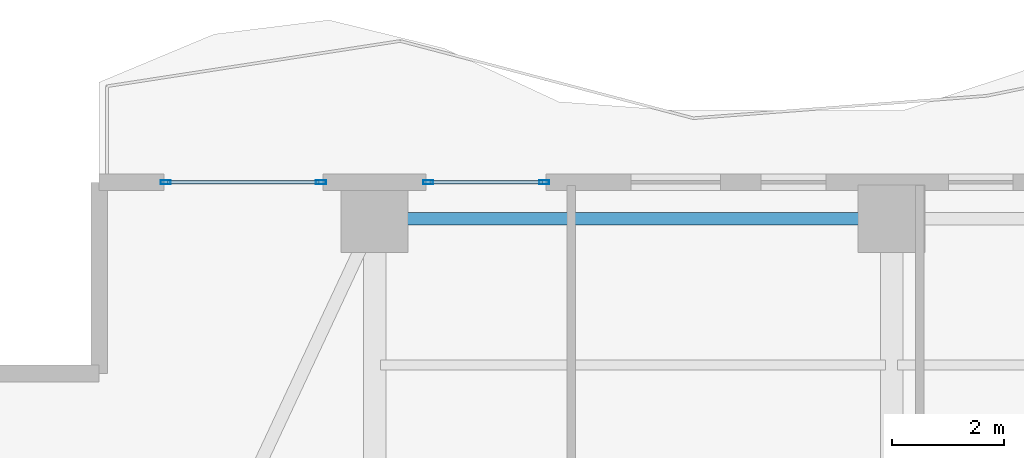
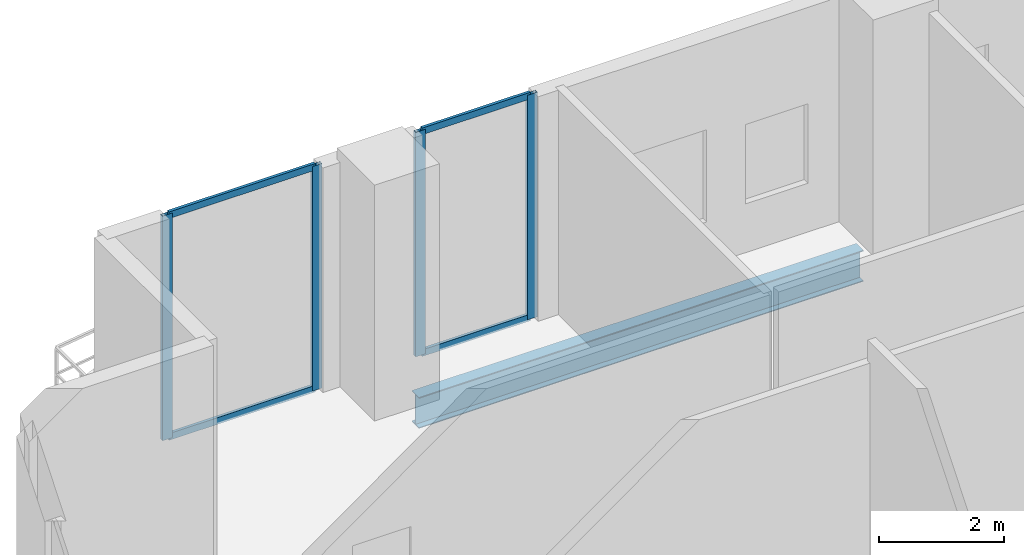
# One storey, part 17 of 31: 8 members, 1 beam, 2 elements without a shape of their own.
"""IFC4 building model written with IfcOpenShell, lengths in metres."""

import ifcopenshell
import ifcopenshell.guid

model = None  # the IFC model being written
_history = None  # IfcOwnerHistory: only IFC2X3 demands one
_inside = {}  # id of a spatial element -> (the spatial element, [elements in it])
_under = {}  # id of a project, library or spatial element -> (it, [spatial elements below it])
_declared = {}  # id of a project -> (the project, [libraries it declares])
_typed = {}  # id of a type object -> (the type object, [elements of that type])
_made_of = {}  # id of a material, layer set ... -> (it, [elements and type objects made of it])


def new_model(schema):
    """Start an empty IFC model of exactly this schema.

    Asked for "IFC4X3", IfcOpenShell would pick the latest addendum, in which some entities
    have other attributes; the version numbers below select the first issue.
    IFC2X3 requires an IfcOwnerHistory on every rooted entity: one is made here for all.
    """
    global model, _history
    if schema == "IFC4X3":
        model = ifcopenshell.file(schema_version=(4, 3, 0, 0))
    else:
        model = ifcopenshell.file(schema=schema)
    _inside.clear()
    _under.clear()
    _declared.clear()
    _typed.clear()
    _made_of.clear()
    _history = None
    if model.schema == "IFC2X3":
        org = make("IfcOrganization", Name="unknown")
        user = make(
            "IfcPersonAndOrganization",
            ThePerson=make("IfcPerson", FamilyName="unknown"),
            TheOrganization=org,
        )
        app = make(
            "IfcApplication",
            ApplicationDeveloper=org,
            Version="unknown",
            ApplicationFullName="unknown",
            ApplicationIdentifier="unknown",
        )
        _history = make(
            "IfcOwnerHistory",
            OwningUser=user,
            OwningApplication=app,
            ChangeAction="ADDED",
            CreationDate=0,
        )
    return model


def make(cls, **values):
    """One entity of the class cls with the attributes given. An attribute that is None is left unset."""
    return model.create_entity(
        cls, **{name: value for name, value in values.items() if value is not None}
    )


def rooted(cls, **values):
    """An entity with a GlobalId (a new one), such as an element, a storey or a relation."""
    return make(cls, GlobalId=ifcopenshell.guid.new(), OwnerHistory=_history, **values)


def si_unit(unit_type, name, prefix=None):
    """IfcSIUnit, for example si_unit("LENGTHUNIT", "METRE", prefix="MILLI")."""
    return make("IfcSIUnit", UnitType=unit_type, Prefix=prefix, Name=name)


def assignment(units):
    """IfcUnitAssignment: the units of a project."""
    return None if units is None else make("IfcUnitAssignment", Units=units)


def point(xyz):
    """IfcCartesianPoint."""
    return None if xyz is None else make("IfcCartesianPoint", Coordinates=xyz)


def direction(xyz):
    """IfcDirection."""
    return None if xyz is None else make("IfcDirection", DirectionRatios=xyz)


def frame(location, z_axis=None, x_axis=None):
    """IfcAxis2Placement3D, a coordinate frame: its origin and axes. An axis left out is left unset."""
    return make(
        "IfcAxis2Placement3D",
        Location=point(location),
        Axis=direction(z_axis),
        RefDirection=direction(x_axis),
    )


def frame_2d(location, x_axis=None):
    """IfcAxis2Placement2D, a coordinate frame in the plane: its origin and x axis."""
    return make(
        "IfcAxis2Placement2D", Location=point(location), RefDirection=direction(x_axis)
    )


def origin():
    """The frame at (0, 0, 0) with its axes left unset."""
    return frame((0.0, 0.0, 0.0))


def origin_2d():
    """The frame at (0, 0) in the plane with its x axis left unset."""
    return frame_2d((0.0, 0.0))


def place(relative_to, where):
    """IfcLocalPlacement: puts the frame where relative to a parent placement (None: the world)."""
    return make(
        "IfcLocalPlacement", PlacementRelTo=relative_to, RelativePlacement=where
    )


def context(
    kind, dimensions, precision=None, world=None, true_north=None, identifier=None
):
    """IfcGeometricRepresentationContext, for example the 3D "Model" context."""
    return make(
        "IfcGeometricRepresentationContext",
        ContextIdentifier=identifier,
        ContextType=kind,
        CoordinateSpaceDimension=dimensions,
        Precision=precision,
        WorldCoordinateSystem=world,
        TrueNorth=true_north,
    )


def subcontext(parent, identifier, kind, view, scale=None):
    """IfcGeometricRepresentationSubContext, for example "Body" below "Model"."""
    return make(
        "IfcGeometricRepresentationSubContext",
        ContextIdentifier=identifier,
        ContextType=kind,
        ParentContext=parent,
        TargetScale=scale,
        TargetView=view,
    )


def project(units=None, contexts=None):
    """IfcProject with its units and contexts."""
    return rooted(
        "IfcProject",
        Name="project",
        RepresentationContexts=contexts,
        UnitsInContext=assignment(units),
    )


def spatial(cls, under=None, at=None, **own):
    """A site, building, storey or space (cls), placed at a placement, below another one or the project."""
    s = rooted(cls, ObjectPlacement=at, **own)
    if under is not None:
        _under.setdefault(under.id(), (under, []))[1].append(s)
    return s


def profile(cls, at=None, kind="AREA", **sizes):
    """A parametric profile (cls). Its sizes go by their IFC names, for example OverallWidth=200.0."""
    return make(cls, ProfileType=kind, Position=at, **sizes)


def hollow_rectangle(**sizes):
    """IfcRectangleHollowProfileDef."""
    return profile("IfcRectangleHollowProfileDef", **sizes)


def i_section(**sizes):
    """IfcIShapeProfileDef."""
    return profile("IfcIShapeProfileDef", **sizes)


def extrude(swept, where, along, depth):
    """IfcExtrudedAreaSolid: the profile swept, set in the frame where, extruded along a direction by depth."""
    return make(
        "IfcExtrudedAreaSolid",
        SweptArea=swept,
        Position=where,
        ExtrudedDirection=direction(along),
        Depth=depth,
    )


def shape(context_of_items, identifier, shape_type, items):
    """IfcShapeRepresentation: the items that make up one representation, for example the "Body"."""
    return make(
        "IfcShapeRepresentation",
        ContextOfItems=context_of_items,
        RepresentationIdentifier=identifier,
        RepresentationType=shape_type,
        Items=items,
    )


def material(Name=None, Category=None):
    """IfcMaterial."""
    return make("IfcMaterial", Name=Name, Category=Category)


def layer(
    of_material, thickness, ventilated=None, Name=None, Category=None, Priority=None
):
    """IfcMaterialLayer: one layer of a wall or slab, of a material (None: an air gap)."""
    return make(
        "IfcMaterialLayer",
        Material=of_material,
        LayerThickness=thickness,
        IsVentilated=ventilated,
        Name=Name,
        Category=Category,
        Priority=Priority,
    )


def layer_set(layers, Name=None):
    """IfcMaterialLayerSet."""
    return make("IfcMaterialLayerSet", MaterialLayers=layers, LayerSetName=Name)


def material_profile(
    of_material, cross_section, Name=None, Category=None, Priority=None
):
    """IfcMaterialProfile: a cross section and its material."""
    return make(
        "IfcMaterialProfile",
        Name=Name,
        Material=of_material,
        Profile=cross_section,
        Priority=Priority,
        Category=Category,
    )


def profile_set(profiles, Name=None, composite=None):
    """IfcMaterialProfileSet."""
    return make(
        "IfcMaterialProfileSet",
        Name=Name,
        MaterialProfiles=profiles,
        CompositeProfile=composite,
    )


def made_of(thing, what):
    """Note that an element or type object is made of a material, layer set ...; save() writes the relation."""
    if what is not None:
        _made_of.setdefault(what.id(), (what, []))[1].append(thing)
    return thing


def type_object(cls, material=None, **own):
    """A type object (cls), such as IfcWallType, which elements share."""
    return made_of(rooted(cls, **own), material)


def element(
    cls,
    number,
    at=None,
    inside=None,
    cuts=None,
    type_object=None,
    material=None,
    context=None,
    identifier="Body",
    shape_type=None,
    held_by="IfcProductDefinitionShape",
    body=None,
    shapes=None,
    **own,
):
    """One element of the class cls, such as IfcWall. Its Tag is "e" and its number.

    at: its placement. inside: the storey or other place that contains it. cuts: it is an
    opening in that element (IfcRelVoidsElement). A single representation is given by context,
    identifier, shape_type and body (its items); several are given by shapes. held_by: the class
    of the entity that holds the representations. save() writes the other relations.
    """
    e = rooted(cls, Tag="e%d" % number, ObjectPlacement=at, **own)
    if body is not None:
        shapes = [shape(context, identifier, shape_type, body)]
    if shapes is not None:
        e.Representation = make(held_by, Representations=shapes)
    if inside is not None:
        _inside.setdefault(inside.id(), (inside, []))[1].append(e)
    if cuts is not None:
        rooted(
            "IfcRelVoidsElement", RelatingBuildingElement=cuts, RelatedOpeningElement=e
        )
    if type_object is not None:
        _typed.setdefault(type_object.id(), (type_object, []))[1].append(e)
    return made_of(e, material)


def aggregate(whole, parts):
    """IfcRelAggregates: a whole, such as a stair, and the parts it consists of."""
    return rooted("IfcRelAggregates", RelatingObject=whole, RelatedObjects=parts)


def save(model, path):
    """Write the relations noted so far, then the file.

    IfcRelAggregates (storeys below a building ...), IfcRelContainedInSpatialStructure (elements
    in a storey), IfcRelDefinesByType, IfcRelAssociatesMaterial and IfcRelDeclares: one each for
    every whole, place, type object, material and project.
    """
    for whole, parts in _under.values():
        aggregate(whole, parts)
    for where, things in _inside.values():
        rooted(
            "IfcRelContainedInSpatialStructure",
            RelatedElements=things,
            RelatingStructure=where,
        )
    for kind, things in _typed.values():
        rooted("IfcRelDefinesByType", RelatedObjects=things, RelatingType=kind)
    for what, things in _made_of.values():
        rooted("IfcRelAssociatesMaterial", RelatedObjects=things, RelatingMaterial=what)
    for by, libraries in _declared.values():
        rooted("IfcRelDeclares", RelatingContext=by, RelatedDefinitions=libraries)
    model.write(path)


model = new_model("IFC4")

# Units and contexts
model_context = context("Model", 3, precision=1e-05, world=origin(), true_north=direction((0.0, 1.0)))
body_context = subcontext(model_context, "Body", "Model", "MODEL_VIEW")
ifc_project = project(units=[si_unit("LENGTHUNIT", "METRE"), si_unit("AREAUNIT", "SQUARE_METRE"), si_unit("VOLUMEUNIT", "CUBIC_METRE"), si_unit("PLANEANGLEUNIT", "RADIAN"), si_unit("MASSUNIT", "GRAM", prefix="KILO")], contexts=[model_context])

# Site, building, storey
site_placement = place(None, origin())
site = spatial("IfcSite", under=ifc_project, at=site_placement, CompositionType="ELEMENT")
building_placement = place(site_placement, origin())
building = spatial("IfcBuilding", under=site, at=building_placement, Name="Zuhayl Quay Hotel", CompositionType="ELEMENT")
storey_placement = place(building_placement, frame((0.0, 0.0, 172.800048828125)))
storey = spatial("IfcBuildingStorey", under=building, at=storey_placement, Name="L43", CompositionType="ELEMENT", Elevation=172.800048828125)

# Beam
ifc_material_1 = material(Name="Steel ASTM A992 Grade 50", Category="steel")
ifc_material_profile_1 = material_profile(ifc_material_1, i_section(OverallWidth=0.22802734375, OverallDepth=0.60693359375, WebThickness=0.01123046875, FlangeThickness=0.017333984375, at=origin_2d()), Name="W24X76")
ifc_profile_set_1 = profile_set([ifc_material_profile_1], Name="Steel ASTM A992 Grade 50")
beam_type = type_object("IfcBeamType", Name="BM_B3_W24X76", PredefinedType="BEAM", material=ifc_profile_set_1)
beam_placement = place(storey_placement, frame((-5.10009765625, 32.949951171875, -0.5234375), z_axis=(-1.0, 0.0, 0.0), x_axis=(0.0, -1.0, 0.0)))
element("IfcBeam", 1, at=beam_placement, inside=storey, type_object=beam_type, Name="L43 Floor Beam RG_L43_09", PredefinedType="BEAM", context=body_context, shape_type="SweptSolid", body=[
    extrude(i_section(OverallWidth=0.22802734375, OverallDepth=0.60693359375, WebThickness=0.01123046875, FlangeThickness=0.017333984375, at=origin_2d()), origin(), (0.0, 0.0, 1.0), 8.199951171875),
])

# Curtain wall, members
ifc_material_2 = material(Name="Anodised Aluminium 6063-T6", Category="aluminium")
ifc_layer = layer(ifc_material_2, 0.175048828125, Name="Anodised Aluminium 6063-T6", Category="aluminium")
ifc_layer_set = layer_set([ifc_layer], Name="Anodised Aluminium 6063-T6")
curtain_wall_type = type_object("IfcCurtainWallType", Name="CW_SYS_Z3", PredefinedType="USERDEFINED", material=ifc_layer_set)
curtain_wall_1_placement = place(storey_placement, origin())
curtain_wall_1 = element("IfcCurtainWall", 2, at=curtain_wall_1_placement, inside=storey, type_object=curtain_wall_type, Name="L43 Curtain Wall ENV_L43_N_CW1", ObjectType="UNITISED CURTAIN WALL", PredefinedType="USERDEFINED")
ifc_material_3 = material(Name="Black-anodised aluminium 6063-T6", Category="aluminium")
ifc_material_profile_2 = material_profile(ifc_material_3, hollow_rectangle(XDim=0.06494140625, YDim=0.179931640625, WallThickness=0.00341796875, at=origin_2d()), Name="ALU180X65")
ifc_profile_set_2 = profile_set([ifc_material_profile_2], Name="Black-anodised aluminium 6063-T6")
member_type_1 = type_object("IfcMemberType", Name="MB_CW_MUL_180", PredefinedType="MULLION", material=ifc_profile_set_2)
member_1_placement = place(storey_placement, frame((-17.517578125, 33.60009765625, 0.0), z_axis=(0.0, 0.0, 1.0), x_axis=(0.0, 1.0, 0.0)))
member_1 = element("IfcMember", 3, at=member_1_placement, type_object=member_type_1, Name="CW-Z3 mullion 1", PredefinedType="MULLION", context=body_context, shape_type="SweptSolid", body=[
    extrude(hollow_rectangle(XDim=0.06494140625, YDim=0.179931640625, WallThickness=0.00341796875, at=origin_2d()), origin(), (0.0, 0.0, 1.0), 4.3798828125),
])
member_2_placement = place(storey_placement, frame((-14.75244140625, 33.60009765625, 0.0), z_axis=(0.0, 0.0, 1.0), x_axis=(0.0, 1.0, 0.0)))
member_2 = element("IfcMember", 4, at=member_2_placement, type_object=member_type_1, Name="CW-Z3 mullion 2", PredefinedType="MULLION", context=body_context, shape_type="SweptSolid", body=[
    extrude(hollow_rectangle(XDim=0.06494140625, YDim=0.179931640625, WallThickness=0.00341796875, at=origin_2d()), origin(), (0.0, 0.0, 1.0), 4.3798828125),
])

curtain_wall_2_placement = place(storey_placement, origin())
curtain_wall_2 = element("IfcCurtainWall", 5, at=curtain_wall_2_placement, inside=storey, type_object=curtain_wall_type, Name="L43 Curtain Wall ENV_L43_N_CW2", ObjectType="UNITISED CURTAIN WALL", PredefinedType="USERDEFINED")
member_3_placement = place(storey_placement, frame((-12.847412109375, 33.60009765625, 0.0), z_axis=(0.0, 0.0, 1.0), x_axis=(0.0, 1.0, 0.0)))
member_3 = element("IfcMember", 6, at=member_3_placement, type_object=member_type_1, Name="CW-Z3 mullion 1", PredefinedType="MULLION", context=body_context, shape_type="SweptSolid", body=[
    extrude(hollow_rectangle(XDim=0.06494140625, YDim=0.179931640625, WallThickness=0.00341796875, at=origin_2d()), origin(), (0.0, 0.0, 1.0), 4.3798828125),
])
member_4_placement = place(storey_placement, frame((-10.782470703125, 33.60009765625, 0.0), z_axis=(0.0, 0.0, 1.0), x_axis=(0.0, 1.0, 0.0)))
member_4 = element("IfcMember", 7, at=member_4_placement, type_object=member_type_1, Name="CW-Z3 mullion 2", PredefinedType="MULLION", context=body_context, shape_type="SweptSolid", body=[
    extrude(hollow_rectangle(XDim=0.06494140625, YDim=0.179931640625, WallThickness=0.00341796875, at=origin_2d()), origin(), (0.0, 0.0, 1.0), 4.3798828125),
])

# Member
ifc_material_profile_3 = material_profile(ifc_material_3, hollow_rectangle(XDim=0.054931640625, YDim=0.1298828125, WallThickness=0.0029296875, at=origin_2d()), Name="ALU130X55")
ifc_profile_set_3 = profile_set([ifc_material_profile_3], Name="Black-anodised aluminium 6063-T6")
member_type_2 = type_object("IfcMemberType", Name="MB_CW_TRN_130", PredefinedType="USERDEFINED", material=ifc_profile_set_3)
member_5_placement = place(storey_placement, frame((-17.485107421875, 33.60009765625, 0.02734375), z_axis=(1.0, 0.0, 0.0), x_axis=(0.0, 1.0, 0.0)))
member_5 = element("IfcMember", 8, at=member_5_placement, type_object=member_type_2, Name="CW-Z3 transom 1.1", ObjectType="TRANSOM", PredefinedType="USERDEFINED", context=body_context, shape_type="SweptSolid", body=[
    extrude(hollow_rectangle(XDim=0.054931640625, YDim=0.1298828125, WallThickness=0.0029296875, at=origin_2d()), origin(), (0.0, 0.0, 1.0), 2.7001953125),
])

member_6_placement = place(storey_placement, frame((-17.485107421875, 33.60009765625, 4.3525390625), z_axis=(1.0, 0.0, 0.0), x_axis=(0.0, 1.0, 0.0)))
member_6 = element("IfcMember", 9, at=member_6_placement, type_object=member_type_2, Name="CW-Z3 transom 1.2", ObjectType="TRANSOM", PredefinedType="USERDEFINED", context=body_context, shape_type="SweptSolid", body=[
    extrude(hollow_rectangle(XDim=0.054931640625, YDim=0.1298828125, WallThickness=0.0029296875, at=origin_2d()), origin(), (0.0, 0.0, 1.0), 2.7001953125),
])

aggregate(curtain_wall_1, [member_1, member_2, member_5, member_6])

member_7_placement = place(storey_placement, frame((-12.81494140625, 33.60009765625, 0.02734375), z_axis=(1.0, 0.0, 0.0), x_axis=(0.0, 1.0, 0.0)))
member_7 = element("IfcMember", 10, at=member_7_placement, type_object=member_type_2, Name="CW-Z3 transom 1.1", ObjectType="TRANSOM", PredefinedType="USERDEFINED", context=body_context, shape_type="SweptSolid", body=[
    extrude(hollow_rectangle(XDim=0.054931640625, YDim=0.1298828125, WallThickness=0.0029296875, at=origin_2d()), origin(), (0.0, 0.0, 1.0), 2.0),
])

member_8_placement = place(storey_placement, frame((-12.81494140625, 33.60009765625, 4.3525390625), z_axis=(1.0, 0.0, 0.0), x_axis=(0.0, 1.0, 0.0)))
member_8 = element("IfcMember", 11, at=member_8_placement, type_object=member_type_2, Name="CW-Z3 transom 1.2", ObjectType="TRANSOM", PredefinedType="USERDEFINED", context=body_context, shape_type="SweptSolid", body=[
    extrude(hollow_rectangle(XDim=0.054931640625, YDim=0.1298828125, WallThickness=0.0029296875, at=origin_2d()), origin(), (0.0, 0.0, 1.0), 2.0),
])

aggregate(curtain_wall_2, [member_3, member_4, member_7, member_8])

save(model, "model.ifc")
